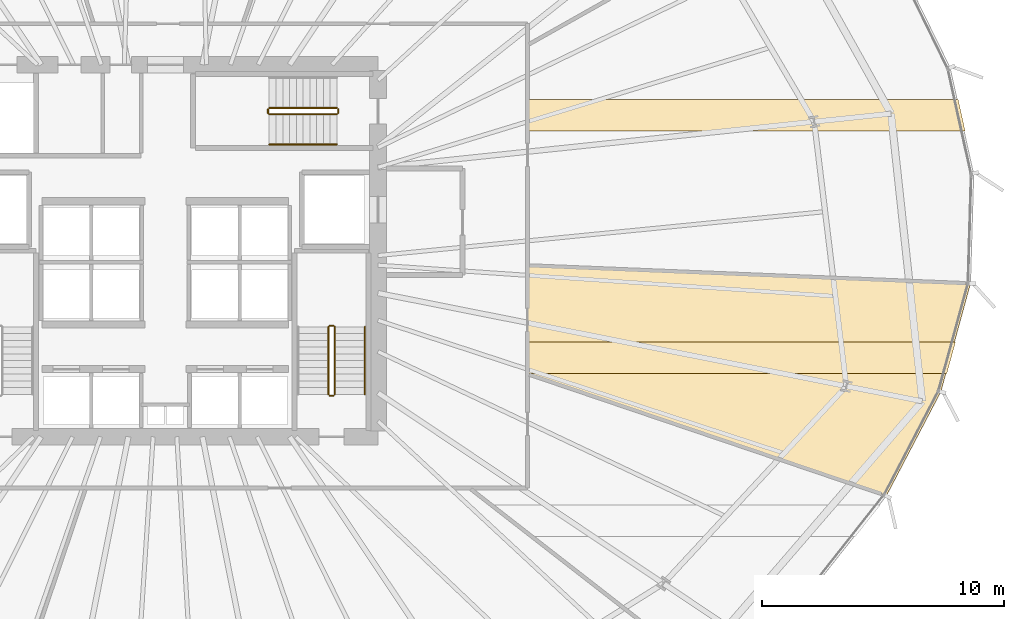
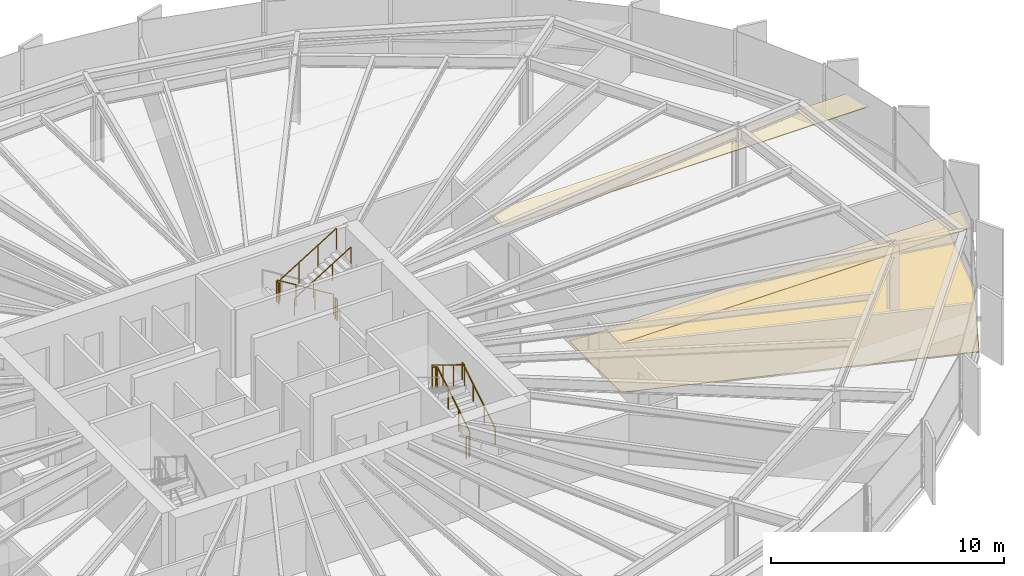
# One storey, part 37 of 38: 10 railings, 3 coverings.
"""IFC4 building model written with IfcOpenShell, lengths in metres."""

from ifc_helpers import new_model, si_unit, direction, frame, origin, origin_2d, place, context, subcontext, project, spatial, polyline, circle, outline, extrude, material, layer, layer_set, type_object, element, save


model = new_model("IFC4")

# Units and contexts
model_context = context("Model", 3, precision=1e-05, world=origin(), true_north=direction((0.0, 1.0)))
body_context = subcontext(model_context, "Body", "Model", "MODEL_VIEW")
ifc_project = project(units=[si_unit("LENGTHUNIT", "METRE"), si_unit("AREAUNIT", "SQUARE_METRE"), si_unit("VOLUMEUNIT", "CUBIC_METRE"), si_unit("PLANEANGLEUNIT", "RADIAN"), si_unit("MASSUNIT", "GRAM", prefix="KILO"), si_unit("THERMODYNAMICTEMPERATUREUNIT", "KELVIN")], contexts=[model_context])

# Site, building, storey
site_placement = place(None, origin())
site = spatial("IfcSite", under=ifc_project, at=site_placement, CompositionType="ELEMENT")
building_placement = place(site_placement, origin())
building = spatial("IfcBuilding", under=site, at=building_placement, Name="Kethvar Cultural Tower", CompositionType="ELEMENT")
storey_placement = place(building_placement, frame((0.0, 0.0, 52.39990234375)))
storey = spatial("IfcBuildingStorey", under=building, at=storey_placement, Name="L12", CompositionType="ELEMENT", Elevation=52.39990234375)

# Coverings
ifc_material_1 = material(Name="Acoustic Mineral Fibre Ceiling")
ifc_layer_1 = layer(ifc_material_1, 0.0400390625, Name="Acoustic Mineral Fibre Ceiling")
ifc_layer_set_1 = layer_set([ifc_layer_1], Name="Acoustic Mineral Fibre Ceiling (40 mm)")
covering_type_1 = type_object("IfcCoveringType", Name="CV-ACOUSTIC-CEIL", PredefinedType="CEILING", material=ifc_layer_set_1)
covering_1_placement = place(storey_placement, frame((0.0, 0.0, 2.56005859375)))
element("IfcCovering", 1, at=covering_1_placement, inside=storey, type_object=covering_type_1, Name="L12 Room 04 Acoustic Ceiling Panel", PredefinedType="CEILING", context=body_context, shape_type="SweptSolid", body=[
    extrude(outline(polyline([(61.77001953125, 24.025634765625), (79.505859375, 24.025634765625), (79.147216796875, 22.715576171875), (61.77001953125, 22.715576171875), (61.77001953125, 24.025634765625)])), origin(), (0.0, 0.0, 1.0), 0.0400390625),
])
covering_2_placement = place(storey_placement, frame((0.0, 0.0, 2.56005859375)))
element("IfcCovering", 2, at=covering_2_placement, inside=storey, type_object=covering_type_1, Name="L12 Room 05 Acoustic Ceiling Panel", PredefinedType="CEILING", context=body_context, shape_type="SweptSolid", body=[
    extrude(outline(polyline([(79.903564453125, 32.760498046875), (61.77001953125, 32.760498046875), (61.77001953125, 34.070556640625), (79.61328125, 34.070556640625), (79.903564453125, 32.760498046875)])), origin(), (0.0, 0.0, 1.0), 0.0400390625),
])
ifc_material_2 = material(Name="Architectural Oak Timber", Category="wood")
ifc_layer_2 = layer(ifc_material_2, 0.02490234375, Name="Architectural Oak Timber", Category="wood")
ifc_layer_set_2 = layer_set([ifc_layer_2], Name="Architectural Oak Timber (25 mm)")
covering_type_2 = type_object("IfcCoveringType", Name="CV-OAK-FLOOR", PredefinedType="FLOORING", material=ifc_layer_set_2)
covering_3_placement = place(storey_placement, origin())
element("IfcCovering", 3, at=covering_3_placement, inside=storey, type_object=covering_type_2, Name="L12 Room 04 Floor Finish", PredefinedType="FLOORING", context=body_context, shape_type="SweptSolid", body=[
    extrude(outline(polyline([(78.899658203125, 21.9638671875), (76.650146484375, 17.665771484375), (61.81005859375, 22.714599609375), (61.81005859375, 27.169677734375), (80.12158203125, 26.4248046875), (78.899658203125, 21.9638671875)])), origin(), (0.0, 0.0, 1.0), 0.025146484375),
])

# Railings
ifc_material_3 = material(Name="Steel S355J2", Category="steel")
railing_type_1 = type_object("IfcRailingType", Name="RL-STAIR-GUARD", PredefinedType="BALUSTRADE", material=ifc_material_3)
railing_1_placement = place(storey_placement, frame((53.81005859375, 21.85009765625, 0.1728515625)))
element("IfcRailing", 4, at=railing_1_placement, inside=storey, type_object=railing_type_1, Name="L12 ST-02 stair guard 1", PredefinedType="BALUSTRADE", context=body_context, shape_type="SweptSolid", body=[
    extrude(circle(Radius=0.02392578125, at=origin_2d()), frame((0.0, 0.0, 1.09619140625), z_axis=(0.0, 0.851069175582, 0.525053576669), x_axis=(-1.0, 0.0, 0.0)), (0.0, 0.0, 1.0), 3.289794921875),
    extrude(circle(Radius=0.02099609375, at=origin_2d()), origin(), (0.0, 0.0, 1.0), 1.072021484375),
    extrude(circle(Radius=0.02099609375, at=origin_2d()), frame((0.0, 0.933349609375, 0.57568359375)), (0.0, 0.0, 1.0), 1.072021484375),
    extrude(circle(Radius=0.02099609375, at=origin_2d()), frame((0.0, 1.866455078125, 1.151611328125)), (0.0, 0.0, 1.0), 1.072021484375),
    extrude(circle(Radius=0.02099609375, at=origin_2d()), frame((0.0, 2.7998046875, 1.727294921875)), (0.0, 0.0, 1.0), 1.072021484375),
])
railing_2_placement = place(storey_placement, frame((53.760009765625, 24.699951171875, 1.900146484375)))
element("IfcRailing", 5, at=railing_2_placement, inside=storey, type_object=railing_type_1, Name="L12 ST-02 stair guard 2", PredefinedType="BALUSTRADE", context=body_context, shape_type="SweptSolid", body=[
    extrude(circle(Radius=0.02392578125, at=origin_2d()), frame((0.0, 0.0, 1.09619140625), z_axis=(-1.0, 0.0, 0.0), x_axis=(0.0, -1.0, 0.0)), (0.0, 0.0, 1.0), 0.159912109375),
    extrude(circle(Radius=0.02099609375, at=origin_2d()), origin(), (0.0, 0.0, 1.0), 1.072021484375),
    extrude(circle(Radius=0.02099609375, at=origin_2d()), frame((-0.159912109375, 0.0, 0.0)), (0.0, 0.0, 1.0), 1.072021484375),
])
railing_3_placement = place(storey_placement, frame((53.550048828125, 24.64990234375, 2.07275390625)))
element("IfcRailing", 6, at=railing_3_placement, inside=storey, type_object=railing_type_1, Name="L12 ST-02 stair guard 3", PredefinedType="BALUSTRADE", context=body_context, shape_type="SweptSolid", body=[
    extrude(circle(Radius=0.02392578125, at=origin_2d()), frame((0.0, 0.0, 1.09619140625), z_axis=(0.0, -0.851069175582, 0.525053576669), x_axis=(1.0, 0.0, 0.0)), (0.0, 0.0, 1.0), 3.289794921875),
    extrude(circle(Radius=0.02099609375, at=origin_2d()), origin(), (0.0, 0.0, 1.0), 1.072021484375),
    extrude(circle(Radius=0.02099609375, at=origin_2d()), frame((0.0, -0.933349609375, 0.57568359375)), (0.0, 0.0, 1.0), 1.072021484375),
    extrude(circle(Radius=0.02099609375, at=origin_2d()), frame((0.0, -1.866455078125, 1.151611328125)), (0.0, 0.0, 1.0), 1.072021484375),
    extrude(circle(Radius=0.02099609375, at=origin_2d()), frame((0.0, -2.7998046875, 1.727294921875)), (0.0, 0.0, 1.0), 1.072021484375),
])
railing_4_placement = place(storey_placement, frame((53.760009765625, 21.800048828125, 0.0)))
element("IfcRailing", 7, at=railing_4_placement, inside=storey, type_object=railing_type_1, Name="L12 ST-02 stair guard 4", PredefinedType="BALUSTRADE", context=body_context, shape_type="SweptSolid", body=[
    extrude(circle(Radius=0.02392578125, at=origin_2d()), frame((0.0, 0.0, 1.09619140625), z_axis=(-1.0, 0.0, 0.0), x_axis=(0.0, -1.0, 0.0)), (0.0, 0.0, 1.0), 0.159912109375),
    extrude(circle(Radius=0.02099609375, at=origin_2d()), origin(), (0.0, 0.0, 1.0), 1.072021484375),
    extrude(circle(Radius=0.02099609375, at=origin_2d()), frame((-0.159912109375, 0.0, 0.0)), (0.0, 0.0, 1.0), 1.072021484375),
])
railing_5_placement = place(storey_placement, frame((53.89990234375, 33.7099609375, 0.1728515625)))
element("IfcRailing", 8, at=railing_5_placement, inside=storey, type_object=railing_type_1, Name="L12 ST-03 stair guard 1", PredefinedType="BALUSTRADE", context=body_context, shape_type="SweptSolid", body=[
    extrude(circle(Radius=0.02392578125, at=origin_2d()), frame((0.0, 0.0, 1.09619140625), z_axis=(-0.851069175582, 0.0, 0.525053576669), x_axis=(0.0, -1.0, 0.0)), (0.0, 0.0, 1.0), 3.289794921875),
    extrude(circle(Radius=0.02099609375, at=origin_2d()), origin(), (0.0, 0.0, 1.0), 1.072021484375),
    extrude(circle(Radius=0.02099609375, at=origin_2d()), frame((-0.933349609375, 0.0, 0.57568359375)), (0.0, 0.0, 1.0), 1.072021484375),
    extrude(circle(Radius=0.02099609375, at=origin_2d()), frame((-1.866455078125, 0.0, 1.151611328125)), (0.0, 0.0, 1.0), 1.072021484375),
    extrude(circle(Radius=0.02099609375, at=origin_2d()), frame((-2.7998046875, 0.0, 1.727294921875)), (0.0, 0.0, 1.0), 1.072021484375),
])
railing_6_placement = place(storey_placement, frame((51.050048828125, 33.659912109375, 1.900146484375)))
element("IfcRailing", 9, at=railing_6_placement, inside=storey, type_object=railing_type_1, Name="L12 ST-03 stair guard 2", PredefinedType="BALUSTRADE", context=body_context, shape_type="SweptSolid", body=[
    extrude(circle(Radius=0.02392578125, at=origin_2d()), frame((0.0, 0.0, 1.09619140625), z_axis=(0.0, -1.0, 0.0), x_axis=(1.0, 0.0, 0.0)), (0.0, 0.0, 1.0), 0.159912109375),
    extrude(circle(Radius=0.02099609375, at=origin_2d()), origin(), (0.0, 0.0, 1.0), 1.072021484375),
    extrude(circle(Radius=0.02099609375, at=origin_2d()), frame((0.0, -0.159912109375, 0.0)), (0.0, 0.0, 1.0), 1.072021484375),
])
railing_7_placement = place(storey_placement, frame((51.10009765625, 33.449951171875, 2.07275390625)))
element("IfcRailing", 10, at=railing_7_placement, inside=storey, type_object=railing_type_1, Name="L12 ST-03 stair guard 3", PredefinedType="BALUSTRADE", context=body_context, shape_type="SweptSolid", body=[
    extrude(circle(Radius=0.02392578125, at=origin_2d()), frame((0.0, 0.0, 1.09619140625), z_axis=(0.851069175582, 0.0, 0.525053576669), x_axis=(0.0, 1.0, 0.0)), (0.0, 0.0, 1.0), 3.289794921875),
    extrude(circle(Radius=0.02099609375, at=origin_2d()), origin(), (0.0, 0.0, 1.0), 1.072021484375),
    extrude(circle(Radius=0.02099609375, at=origin_2d()), frame((0.933349609375, 0.0, 0.57568359375)), (0.0, 0.0, 1.0), 1.072021484375),
    extrude(circle(Radius=0.02099609375, at=origin_2d()), frame((1.866455078125, 0.0, 1.151611328125)), (0.0, 0.0, 1.0), 1.072021484375),
    extrude(circle(Radius=0.02099609375, at=origin_2d()), frame((2.7998046875, 0.0, 1.727294921875)), (0.0, 0.0, 1.0), 1.072021484375),
])
railing_8_placement = place(storey_placement, frame((53.949951171875, 33.659912109375, 0.0)))
element("IfcRailing", 11, at=railing_8_placement, inside=storey, type_object=railing_type_1, Name="L12 ST-03 stair guard 4", PredefinedType="BALUSTRADE", context=body_context, shape_type="SweptSolid", body=[
    extrude(circle(Radius=0.02392578125, at=origin_2d()), frame((0.0, 0.0, 1.09619140625), z_axis=(0.0, -1.0, 0.0), x_axis=(1.0, 0.0, 0.0)), (0.0, 0.0, 1.0), 0.159912109375),
    extrude(circle(Radius=0.02099609375, at=origin_2d()), origin(), (0.0, 0.0, 1.0), 1.072021484375),
    extrude(circle(Radius=0.02099609375, at=origin_2d()), frame((0.0, -0.159912109375, 0.0)), (0.0, 0.0, 1.0), 1.072021484375),
])
railing_type_2 = type_object("IfcRailingType", Name="RL-STAIR-HANDRAIL", PredefinedType="HANDRAIL", material=ifc_material_3)
railing_9_placement = place(storey_placement, frame((55.06005859375, 21.85009765625, 0.1728515625)))
element("IfcRailing", 12, at=railing_9_placement, inside=storey, type_object=railing_type_2, Name="L12 ST-02 stair handrail 1", PredefinedType="HANDRAIL", context=body_context, shape_type="SweptSolid", body=[
    extrude(circle(Radius=0.02392578125, at=origin_2d()), frame((0.0, 0.0, 0.8759765625), z_axis=(0.0, 0.851069175582, 0.525053576669), x_axis=(-1.0, 0.0, 0.0)), (0.0, 0.0, 1.0), 3.289794921875),
    extrude(circle(Radius=0.02099609375, at=origin_2d()), origin(), (0.0, 0.0, 1.0), 0.851806640625),
    extrude(circle(Radius=0.02099609375, at=origin_2d()), frame((0.0, 0.933349609375, 0.57568359375)), (0.0, 0.0, 1.0), 0.851806640625),
    extrude(circle(Radius=0.02099609375, at=origin_2d()), frame((0.0, 1.866455078125, 1.151611328125)), (0.0, 0.0, 1.0), 0.851806640625),
    extrude(circle(Radius=0.02099609375, at=origin_2d()), frame((0.0, 2.7998046875, 1.727294921875)), (0.0, 0.0, 1.0), 0.851806640625),
])
railing_10_placement = place(storey_placement, frame((51.10009765625, 32.199951171875, 2.07275390625)))
element("IfcRailing", 13, at=railing_10_placement, inside=storey, type_object=railing_type_2, Name="L12 ST-03 stair handrail 2", PredefinedType="HANDRAIL", context=body_context, shape_type="SweptSolid", body=[
    extrude(circle(Radius=0.02392578125, at=origin_2d()), frame((0.0, 0.0, 0.8759765625), z_axis=(0.851069175582, 0.0, 0.525053576669), x_axis=(0.0, 1.0, 0.0)), (0.0, 0.0, 1.0), 3.289794921875),
    extrude(circle(Radius=0.02099609375, at=origin_2d()), origin(), (0.0, 0.0, 1.0), 0.851806640625),
    extrude(circle(Radius=0.02099609375, at=origin_2d()), frame((0.933349609375, 0.0, 0.57568359375)), (0.0, 0.0, 1.0), 0.851806640625),
    extrude(circle(Radius=0.02099609375, at=origin_2d()), frame((1.866455078125, 0.0, 1.151611328125)), (0.0, 0.0, 1.0), 0.851806640625),
    extrude(circle(Radius=0.02099609375, at=origin_2d()), frame((2.7998046875, 0.0, 1.727294921875)), (0.0, 0.0, 1.0), 0.851806640625),
])

save(model, "model.ifc")
